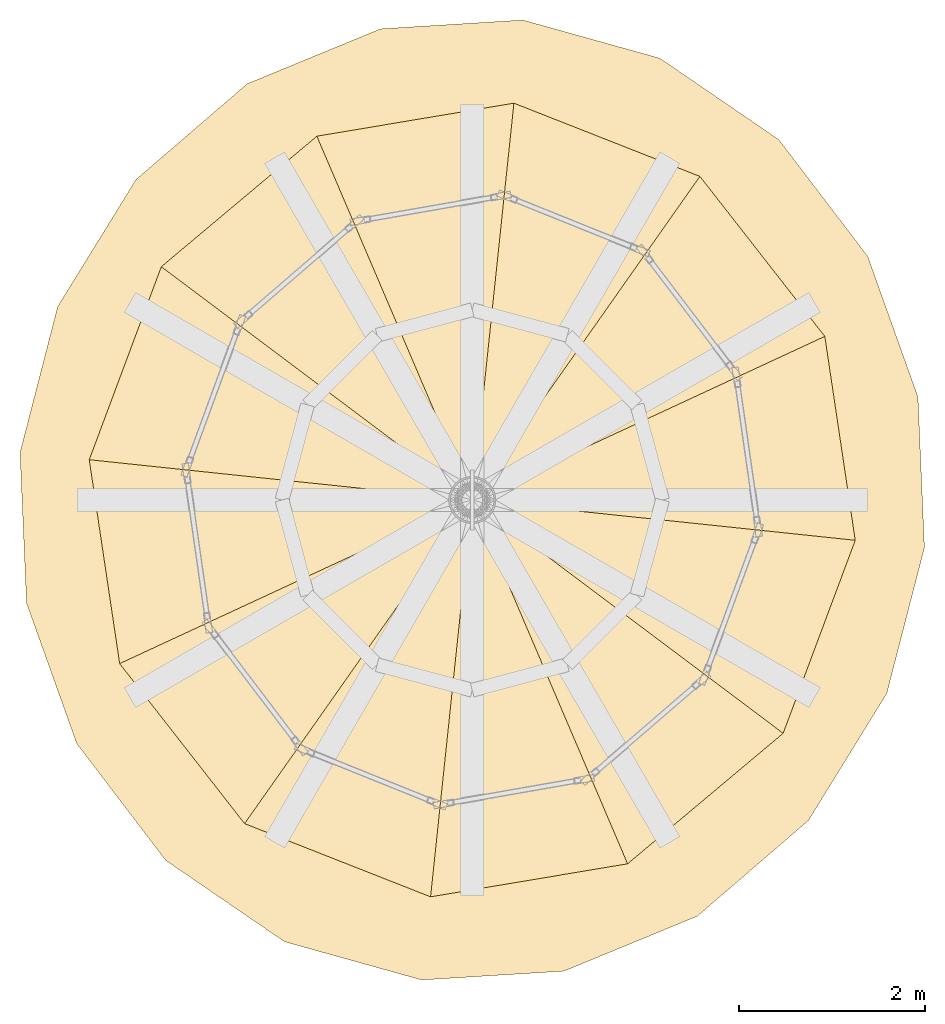
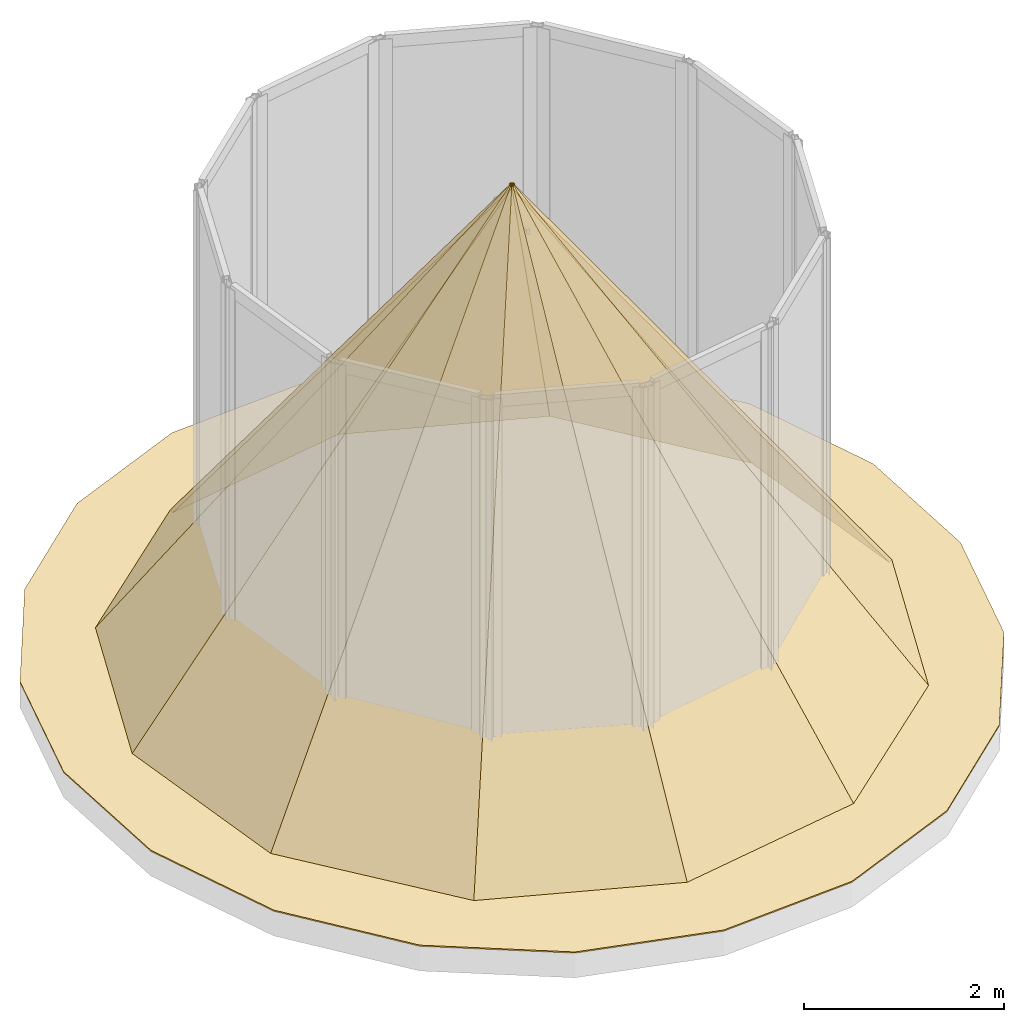
# One storey, part 3 of 3: 13 coverings, 1 element without a shape of its own.
"""IFC4 building model written with IfcOpenShell, lengths in metres."""

from ifc_helpers import new_model, si_unit, direction, frame, origin, place, context, subcontext, project, spatial, polyline, outline, extrude, material, layer, layer_set, type_object, element, aggregate, save


model = new_model("IFC4")

# Units and contexts
model_context = context("Model", 3, precision=1e-05, world=origin(), true_north=direction((0.0, 1.0)))
body_context = subcontext(model_context, "Body", "Model", "MODEL_VIEW")
ifc_project = project(units=[si_unit("LENGTHUNIT", "METRE"), si_unit("AREAUNIT", "SQUARE_METRE"), si_unit("VOLUMEUNIT", "CUBIC_METRE"), si_unit("PLANEANGLEUNIT", "RADIAN"), si_unit("MASSUNIT", "GRAM", prefix="KILO")], contexts=[model_context])

# Site, building, storey
site_placement = place(None, origin())
site = spatial("IfcSite", under=ifc_project, at=site_placement, CompositionType="ELEMENT")
building_placement = place(site_placement, origin())
building = spatial("IfcBuilding", under=site, at=building_placement, Name="Solvirekh Grand Hotel", CompositionType="ELEMENT")
storey_placement = place(building_placement, frame((0.0, 0.0, 340.199951171875)))
storey = spatial("IfcBuildingStorey", under=building, at=storey_placement, Name="RF", CompositionType="ELEMENT", Elevation=340.199951171875)

# Covering
ifc_material_1 = material(Name="EPDM Insulated Roofing Membrane")
ifc_layer_1 = layer(ifc_material_1, 0.080078125)
ifc_layer_set_1 = layer_set([ifc_layer_1], Name="EPDM Insulated Roofing Membrane")
covering_type = type_object("IfcCoveringType", Name="Cov_Roofing_EPDM", PredefinedType="ROOFING", material=ifc_layer_set_1)
covering_1_placement = place(storey_placement, origin())
element("IfcCovering", 1, at=covering_1_placement, inside=storey, type_object=covering_type, Name="RF crown collar waterproof roofing membrane", PredefinedType="ROOFING", context=body_context, shape_type="SweptSolid", body=[
    extrude(outline(polyline([(-0.5439453125, -5.172119140625), (0.989013671875, -5.076904296875), (2.425048828125, -4.485107421875), (3.623046875, -3.4541015625), (4.467041015625, -2.0849609375), (4.873046875, -0.511962890625), (4.802978515625, 1.111083984375), (4.261962890625, 2.625), (3.303955078125, 3.883056640625), (2.02294921875, 4.760009765625), (0.5439453125, 5.172119140625), (-0.989013671875, 5.076904296875), (-2.425048828125, 4.485107421875), (-3.623046875, 3.4541015625), (-4.467041015625, 2.0849609375), (-4.873046875, 0.511962890625), (-4.802978515625, -1.111083984375), (-4.261962890625, -2.625), (-3.303955078125, -3.883056640625), (-2.02294921875, -4.760009765625), (-0.5439453125, -5.172119140625)]), holes=[polyline([(-1.840087890625, -2.679931640625), (-2.842041015625, -1.360107421875), (-3.0830078125, 0.323974609375), (-2.4970703125, 1.922119140625), (-1.242919921875, 3.00390625), (0.344970703125, 3.281982421875), (1.840087890625, 2.679931640625), (2.842041015625, 1.360107421875), (3.0830078125, -0.323974609375), (2.4970703125, -1.922119140625), (1.242919921875, -3.00390625), (-0.344970703125, -3.281982421875), (-1.840087890625, -2.679931640625)])]), origin(), (0.0, 0.0, 1.0), 0.01513671875),
])

# Roof, coverings
ifc_material_2 = material(Name="Concrete C50/60", Category="concrete")
ifc_layer_2 = layer(ifc_material_2, 0.300048828125)
ifc_layer_set_2 = layer_set([ifc_layer_2], Name="Concrete C50/60")
roof_type = type_object("IfcRoofType", Name="Roof_ApexAssembly", PredefinedType="PAVILION_ROOF", material=ifc_layer_set_2)
roof_placement = place(storey_placement, origin())
roof = element("IfcRoof", 2, at=roof_placement, inside=storey, type_object=roof_type, Name="Crown pointed glass roof assembly", PredefinedType="PAVILION_ROOF")
covering_2_placement = place(storey_placement, frame((-0.448974609375, -4.27587890625, 0.02001953125), z_axis=(0.134398926021, -0.801600178791, 0.582558222023), x_axis=(0.986234069855, 0.165355252282, 0.0)))
covering_2 = element("IfcCovering", 3, at=covering_2_placement, type_object=covering_type, Name="RF glass-point sloped roof facet 1", PredefinedType="ROOFING", context=body_context, shape_type="SweptSolid", body=[
    extrude(outline(polyline([(0.0, 0.0), (2.1526805247280842, 2.7755575615628914e-17), (1.1498330915377444, 7.1113529764113945), (0.0, 0.0)])), origin(), (0.0, 0.0, -1.0), 0.0400390625),
])
covering_3_placement = place(storey_placement, frame((1.674072265625, -3.919921875, 0.02001953125), z_axis=(0.525102127394, -0.625946536649, 0.576592307496), x_axis=(0.766122411821, 0.642694678759, 0.0)))
covering_3 = element("IfcCovering", 4, at=covering_3_placement, type_object=covering_type, Name="RF glass-point sloped roof facet 2", PredefinedType="ROOFING", context=body_context, shape_type="SweptSolid", body=[
    extrude(outline(polyline([(0.0, 0.0), (2.1876730986636272, -1.1102230246251565e-16), (1.2367686485089573, 7.074422056920055), (0.0, 0.0)])), origin(), (0.0, 0.0, -1.0), 0.0400390625),
])
covering_4_placement = place(storey_placement, frame((3.35009765625, -2.513916015625, 0.02001953125), z_axis=(0.769194584193, -0.287308036965, 0.570783482193), x_axis=(0.349906007207, 0.936784813135, 0.0)))
covering_4 = element("IfcCovering", 5, at=covering_4_placement, type_object=covering_type, Name="RF glass-point sloped roof facet 3", PredefinedType="ROOFING", context=body_context, shape_type="SweptSolid", body=[
    extrude(outline(polyline([(0.0, 0.0), (2.2201832856518786, 0.0), (1.1827790502828104, 7.039367899958988), (0.0, 0.0)])), origin(), (0.0, 0.0, -1.0), 0.0400390625),
])
covering_5_placement = place(storey_placement, frame((4.126953125, -0.43408203125, 0.02001953125), z_axis=(0.812125050172, 0.121200571439, 0.570756799666), x_axis=(-0.147604120424, 0.989046522482, 0.0)))
covering_5 = element("IfcCovering", 6, at=covering_5_placement, type_object=covering_type, Name="RF glass-point sloped roof facet 4", PredefinedType="ROOFING", context=body_context, shape_type="SweptSolid", body=[
    extrude(outline(polyline([(0.0, 0.0), (2.2213530247913806, 2.7755575615628914e-17), (1.0384826095255073, 7.039208893636259), (0.0, 0.0)])), origin(), (0.0, 0.0, -1.0), 0.0400390625),
])
covering_6_placement = place(storey_placement, frame((3.799072265625, 1.762939453125, 0.02001953125), z_axis=(0.643965678763, 0.502807526579, 0.576621882858), x_axis=(-0.615423097021, 0.788196937099, 0.0)))
covering_6 = element("IfcCovering", 7, at=covering_6_placement, type_object=covering_type, Name="RF glass-point sloped roof facet 5", PredefinedType="ROOFING", context=body_context, shape_type="SweptSolid", body=[
    extrude(outline(polyline([(0.0, 0.0), (2.1874242496998724, 0.0), (0.9484933422745312, 7.074602790773483), (0.0, 0.0)])), origin(), (0.0, 0.0, -1.0), 0.0400390625),
])
covering_7_placement = place(storey_placement, frame((2.452880859375, 3.487060546875, 0.02001953125), z_axis=(0.297701681573, 0.756278366558, 0.582594834396), x_axis=(-0.930503253347, 0.36628362714, 0.0)))
covering_7 = element("IfcCovering", 8, at=covering_7_placement, type_object=covering_type, Name="RF glass-point sloped roof facet 6", PredefinedType="ROOFING", context=body_context, shape_type="SweptSolid", body=[
    extrude(outline(polyline([(0.0, 0.0), (2.1535725348536854, 0.0), (1.005160434555215, 7.111582590492674), (0.0, 0.0)])), origin(), (0.0, 0.0, -1.0), 0.0400390625),
])
covering_8_placement = place(storey_placement, frame((0.448974609375, 4.27587890625, 0.02001953125), z_axis=(-0.134398926021, 0.801600178791, 0.582558222023), x_axis=(-0.986234069855, -0.165355252282, 0.0)))
covering_8 = element("IfcCovering", 9, at=covering_8_placement, type_object=covering_type, Name="RF glass-point sloped roof facet 7", PredefinedType="ROOFING", context=body_context, shape_type="SweptSolid", body=[
    extrude(outline(polyline([(0.0, 0.0), (2.1526805247280842, 2.7755575615628914e-17), (1.1498330915377444, 7.1113529764113945), (0.0, 0.0)])), origin(), (0.0, 0.0, -1.0), 0.0400390625),
])
covering_9_placement = place(storey_placement, frame((-1.674072265625, 3.919921875, 0.02001953125), z_axis=(-0.525102127394, 0.625946536649, 0.576592307496), x_axis=(-0.766122411821, -0.642694678759, 0.0)))
covering_9 = element("IfcCovering", 10, at=covering_9_placement, type_object=covering_type, Name="RF glass-point sloped roof facet 8", PredefinedType="ROOFING", context=body_context, shape_type="SweptSolid", body=[
    extrude(outline(polyline([(0.0, 0.0), (2.1876730986636272, -1.1102230246251565e-16), (1.2367686485089573, 7.074422056920055), (0.0, 0.0)])), origin(), (0.0, 0.0, -1.0), 0.0400390625),
])
covering_10_placement = place(storey_placement, frame((-3.35009765625, 2.513916015625, 0.02001953125), z_axis=(-0.769194584193, 0.287308036965, 0.570783482193), x_axis=(-0.349906007207, -0.936784813135, 0.0)))
covering_10 = element("IfcCovering", 11, at=covering_10_placement, type_object=covering_type, Name="RF glass-point sloped roof facet 9", PredefinedType="ROOFING", context=body_context, shape_type="SweptSolid", body=[
    extrude(outline(polyline([(0.0, 0.0), (2.2201832856518786, 0.0), (1.1827790502828104, 7.039367899958988), (0.0, 0.0)])), origin(), (0.0, 0.0, -1.0), 0.0400390625),
])
covering_11_placement = place(storey_placement, frame((-4.126953125, 0.43408203125, 0.02001953125), z_axis=(-0.812125050172, -0.121200571439, 0.570756799666), x_axis=(0.147604120424, -0.989046522482, 0.0)))
covering_11 = element("IfcCovering", 12, at=covering_11_placement, type_object=covering_type, Name="RF glass-point sloped roof facet 10", PredefinedType="ROOFING", context=body_context, shape_type="SweptSolid", body=[
    extrude(outline(polyline([(0.0, 0.0), (2.2213530247913806, 2.7755575615628914e-17), (1.0384826095255073, 7.039208893636259), (0.0, 0.0)])), origin(), (0.0, 0.0, -1.0), 0.0400390625),
])
covering_12_placement = place(storey_placement, frame((-3.799072265625, -1.762939453125, 0.02001953125), z_axis=(-0.643965678763, -0.502807526579, 0.576621882858), x_axis=(0.615423097021, -0.788196937099, 0.0)))
covering_12 = element("IfcCovering", 13, at=covering_12_placement, type_object=covering_type, Name="RF glass-point sloped roof facet 11", PredefinedType="ROOFING", context=body_context, shape_type="SweptSolid", body=[
    extrude(outline(polyline([(0.0, 0.0), (2.1874242496998724, 0.0), (0.9484933422745312, 7.074602790773483), (0.0, 0.0)])), origin(), (0.0, 0.0, -1.0), 0.0400390625),
])
covering_13_placement = place(storey_placement, frame((-2.452880859375, -3.487060546875, 0.02001953125), z_axis=(-0.297701681573, -0.756278366558, 0.582594834396), x_axis=(0.930503253347, -0.36628362714, 0.0)))
covering_13 = element("IfcCovering", 14, at=covering_13_placement, type_object=covering_type, Name="RF glass-point sloped roof facet 12", PredefinedType="ROOFING", context=body_context, shape_type="SweptSolid", body=[
    extrude(outline(polyline([(0.0, 0.0), (2.1535725348536854, 0.0), (1.005160434555215, 7.111582590492674), (0.0, 0.0)])), origin(), (0.0, 0.0, -1.0), 0.0400390625),
])
aggregate(roof, [covering_2, covering_3, covering_4, covering_5, covering_6, covering_7, covering_8, covering_9, covering_10, covering_11, covering_12, covering_13])

save(model, "model.ifc")
